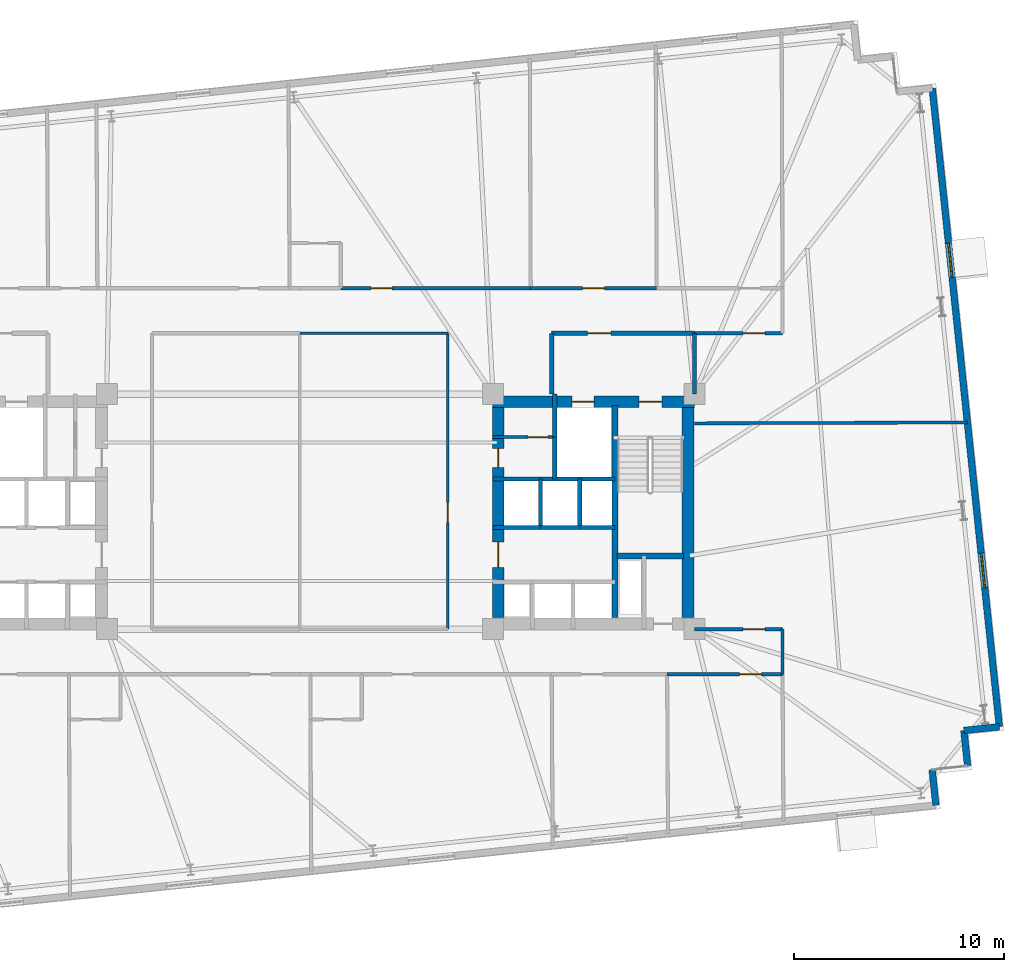
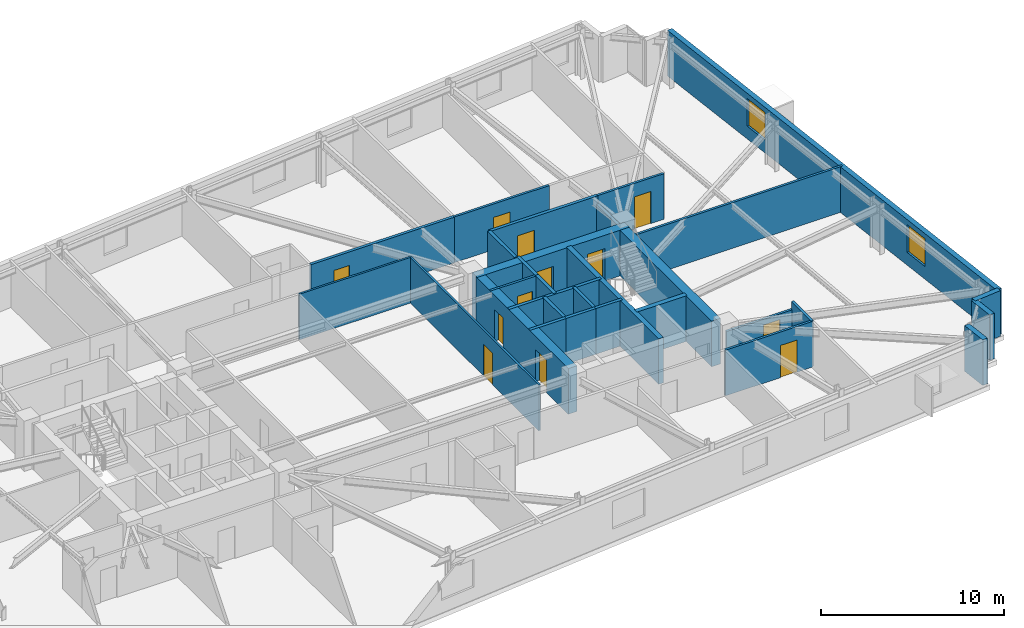
# One storey, part 14 of 17: 30 walls, 12 doors, 2 windows, 14 openings.
"""IFC4 building model written with IfcOpenShell, lengths in metres."""

from ifc_helpers import new_model, si_unit, direction, frame, frame_2d, origin, place, context, subcontext, project, spatial, rectangle, extrude, material, layer, layer_set, type_object, element, fill, save


model = new_model("IFC4")

# Units and contexts
model_context = context("Model", 3, precision=1e-05, world=origin(), true_north=direction((0.0, 1.0)))
body_context = subcontext(model_context, "Body", "Model", "MODEL_VIEW")
ifc_project = project(units=[si_unit("LENGTHUNIT", "METRE"), si_unit("AREAUNIT", "SQUARE_METRE"), si_unit("VOLUMEUNIT", "CUBIC_METRE"), si_unit("PLANEANGLEUNIT", "RADIAN"), si_unit("MASSUNIT", "GRAM", prefix="KILO")], contexts=[model_context])

# Site, building, storey
site_placement = place(None, origin())
site = spatial("IfcSite", under=ifc_project, at=site_placement, CompositionType="ELEMENT")
building_placement = place(site_placement, origin())
building = spatial("IfcBuilding", under=site, at=building_placement, Name="Qobustan Lattice House", CompositionType="ELEMENT")
storey_placement = place(building_placement, frame((0.0, 0.0, 112.5)))
storey = spatial("IfcBuildingStorey", under=building, at=storey_placement, Name="L31", CompositionType="ELEMENT", Elevation=112.5)

# Wall, openings, doors
ifc_material_1 = material(Name="Concrete C60/75", Category="concrete")
ifc_layer_1 = layer(ifc_material_1, 0.56005859375)
ifc_layer_set_1 = layer_set([ifc_layer_1], Name="Concrete C60/75")
wall_type_1 = type_object("IfcWallType", Name="WAL-CORE-600", PredefinedType="SHEAR", material=ifc_layer_set_1)
wall_1_placement = place(storey_placement, frame((9.199951171875, 5.239990234375, 0.0), z_axis=(0.0, 0.0, 1.0), x_axis=(1.0, 0.0, 0.0)))
wall_1 = element("IfcWall", 1, at=wall_1_placement, inside=storey, type_object=wall_type_1, Name="L31 split-core shear wall CE-N", PredefinedType="SHEAR", context=body_context, shape_type="SweptSolid", body=[
    extrude(rectangle(XDim=9.60009765625, YDim=0.56005859375, at=frame_2d((4.800048828125, 0.0))), origin(), (0.0, 0.0, 1.0), 3.044921875),
])
opening_1_placement = place(wall_1_placement, frame((6.949951171875, 0.0, 0.0)))
opening_1 = element("IfcOpeningElement", 2, at=opening_1_placement, cuts=wall_1, Name="Opening SD-01", PredefinedType="OPENING", context=body_context, shape_type="SweptSolid", body=[
    extrude(rectangle(XDim=1.10009765625, YDim=2.14990234375, at=frame_2d((0.550048828125, 1.074951171875))), frame((0.0, 0.2900390625, 0.0), z_axis=(0.0, -1.0, 0.0), x_axis=(1.0, 0.0, 0.0)), (0.0, 0.0, 1.0), 0.580078125),
])
opening_2_placement = place(wall_1_placement, frame((3.77490234375, 0.0, 0.0)))
opening_2 = element("IfcOpeningElement", 3, at=opening_2_placement, cuts=wall_1, Name="Opening LD-01", PredefinedType="OPENING", context=body_context, shape_type="SweptSolid", body=[
    extrude(rectangle(XDim=1.050048828125, YDim=2.10009765625, at=frame_2d((0.52490234375, 1.050048828125))), frame((0.0, 0.2900390625, 0.0), z_axis=(0.0, -1.0, 0.0), x_axis=(1.0, 0.0, 0.0)), (0.0, 0.0, 1.0), 0.580078125),
])
ifc_material_2 = material(Name="Persian walnut timber and steel frame door", Category="steel")
door_type_1 = type_object("IfcDoorType", Name="DOR-LIFT-LD-1050x2100", OperationType="NOTDEFINED", PredefinedType="DOOR", material=ifc_material_2)
door_1_placement = place(opening_2_placement, origin())
door_1 = element("IfcDoor", 4, at=door_1_placement, inside=storey, type_object=door_type_1, Name="L31 firefighting lift FF-E landing door", OperationType="DOUBLE_DOOR_SLIDING", OverallHeight=2.10009765625, OverallWidth=1.050048828125, PredefinedType="DOOR", context=body_context, shape_type="SweptSolid", body=[
    extrude(rectangle(XDim=1.050048828125, YDim=2.10009765625, at=frame_2d((0.52490234375, 1.050048828125))), frame((0.0, 0.02490234375, 0.0), z_axis=(0.0, -1.0, 0.0), x_axis=(1.0, 0.0, 0.0)), (0.0, 0.0, 1.0), 0.050048828125),
])
fill(opening_2, door_1)
ifc_material_3 = material(Name="Persian walnut timber and steel frame door", Category="steel")
door_type_2 = type_object("IfcDoorType", Name="DOR-STAIR-FD-1100x2150", OperationType="NOTDEFINED", PredefinedType="DOOR", material=ifc_material_3)
door_2_placement = place(opening_1_placement, origin())
door_2 = element("IfcDoor", 5, at=door_2_placement, inside=storey, type_object=door_type_2, Name="L31 exit stair ST-E1 fire door", OperationType="SINGLE_SWING_LEFT", OverallHeight=2.14990234375, OverallWidth=1.10009765625, PredefinedType="DOOR", context=body_context, shape_type="SweptSolid", body=[
    extrude(rectangle(XDim=1.10009765625, YDim=2.14990234375, at=frame_2d((0.550048828125, 1.074951171875))), frame((0.0, 0.02490234375, 0.0), z_axis=(0.0, -1.0, 0.0), x_axis=(1.0, 0.0, 0.0)), (0.0, 0.0, 1.0), 0.050048828125),
])
fill(opening_1, door_2)

wall_2_placement = place(storey_placement, frame((9.449951171875, -5.050048828125, 0.0), z_axis=(0.0, 0.0, 1.0), x_axis=(0.0, 1.0, 0.0)))
wall_2 = element("IfcWall", 6, at=wall_2_placement, inside=storey, type_object=wall_type_1, Name="L31 split-core shear wall CE-W", PredefinedType="SHEAR", context=body_context, shape_type="SweptSolid", body=[
    extrude(rectangle(XDim=10.10009765625, YDim=0.56005859375, at=frame_2d((5.050048828125, 0.0))), origin(), (0.0, 0.0, 1.0), 3.044921875),
])
opening_3_placement = place(wall_2_placement, frame((7.14990234375, 0.0, 0.0)))
opening_3 = element("IfcOpeningElement", 7, at=opening_3_placement, cuts=wall_2, Name="Opening RD-01", PredefinedType="OPENING", context=body_context, shape_type="SweptSolid", body=[
    extrude(rectangle(XDim=0.89990234375, YDim=2.10009765625, at=frame_2d((0.449951171875, 1.050048828125))), frame((0.0, 0.2900390625, 0.0), z_axis=(0.0, -1.0, 0.0), x_axis=(1.0, 0.0, 0.0)), (0.0, 0.0, 1.0), 0.580078125),
])
opening_4_placement = place(wall_2_placement, frame((2.39990234375, 0.0, 0.0)))
opening_4 = element("IfcOpeningElement", 8, at=opening_4_placement, cuts=wall_2, Name="Opening FD-01", PredefinedType="OPENING", context=body_context, shape_type="SweptSolid", body=[
    extrude(rectangle(XDim=1.199951171875, YDim=2.14990234375, at=frame_2d((0.60009765625, 1.074951171875))), frame((0.0, 0.2900390625, 0.0), z_axis=(0.0, -1.0, 0.0), x_axis=(1.0, 0.0, 0.0)), (0.0, 0.0, 1.0), 0.580078125),
])
ifc_material_4 = material(Name="Persian walnut timber and steel frame door", Category="steel")
door_type_3 = type_object("IfcDoorType", Name="DOR-LOBBY-FD-1200x2150", OperationType="NOTDEFINED", PredefinedType="DOOR", material=ifc_material_4)
door_3_placement = place(opening_4_placement, origin())
door_3 = element("IfcDoor", 9, at=door_3_placement, inside=storey, type_object=door_type_3, Name="L31 East passenger lift lobby fire door", OperationType="SINGLE_SWING_LEFT", OverallHeight=2.14990234375, OverallWidth=1.199951171875, PredefinedType="DOOR", context=body_context, shape_type="SweptSolid", body=[
    extrude(rectangle(XDim=1.199951171875, YDim=2.14990234375, at=frame_2d((0.60009765625, 1.074951171875))), frame((0.0, 0.02490234375, 0.0), z_axis=(0.0, -1.0, 0.0), x_axis=(1.0, 0.0, 0.0)), (0.0, 0.0, 1.0), 0.050048828125),
])
fill(opening_4, door_3)
ifc_material_5 = material(Name="Persian walnut timber and steel frame door", Category="steel")
door_type_4 = type_object("IfcDoorType", Name="DOR-RISER-FD-900x2100", OperationType="NOTDEFINED", PredefinedType="DOOR", material=ifc_material_5)
door_4_placement = place(opening_3_placement, origin())
door_4 = element("IfcDoor", 10, at=door_4_placement, inside=storey, type_object=door_type_4, Name="L31 Housekeeping utility foyer fire door", OperationType="SINGLE_SWING_RIGHT", OverallHeight=2.10009765625, OverallWidth=0.89990234375, PredefinedType="DOOR", context=body_context, shape_type="SweptSolid", body=[
    extrude(rectangle(XDim=0.89990234375, YDim=2.10009765625, at=frame_2d((0.449951171875, 1.050048828125))), frame((0.0, 0.02490234375, 0.0), z_axis=(0.0, -1.0, 0.0), x_axis=(1.0, 0.0, 0.0)), (0.0, 0.0, 1.0), 0.050048828125),
])
fill(opening_3, door_4)

# Walls
wall_3_placement = place(storey_placement, frame((18.489990234375, -5.050048828125, 0.0), z_axis=(0.0, 0.0, 1.0), x_axis=(0.0, 1.0, 0.0)))
element("IfcWall", 11, at=wall_3_placement, inside=storey, type_object=wall_type_1, Name="L31 split-core shear wall CE-E", PredefinedType="SHEAR", context=body_context, shape_type="SweptSolid", body=[
    extrude(rectangle(XDim=10.10009765625, YDim=0.56005859375, at=frame_2d((5.050048828125, 0.0))), origin(), (0.0, 0.0, 1.0), 3.044921875),
])
ifc_material_6 = material(Name="Concrete C50/60", Category="concrete")
ifc_layer_2 = layer(ifc_material_6, 0.280029296875)
ifc_layer_set_2 = layer_set([ifc_layer_2], Name="Concrete C50/60")
wall_type_2 = type_object("IfcWallType", Name="WAL-CORE-SPINE-280", PredefinedType="SHEAR", material=ifc_layer_set_2)
wall_4_placement = place(storey_placement, frame((15.02001953125, -5.050048828125, 0.0), z_axis=(0.0, 0.0, 1.0), x_axis=(0.0, 1.0, 0.0)))
element("IfcWall", 12, at=wall_4_placement, inside=storey, type_object=wall_type_2, Name="L31 split-core shear wall CE-M", PredefinedType="SHEAR", context=body_context, shape_type="SweptSolid", body=[
    extrude(rectangle(XDim=10.10009765625, YDim=0.300048828125, at=frame_2d((5.050048828125, 0.0))), origin(), (0.0, 0.0, 1.0), 3.044921875),
])
wall_5_placement = place(storey_placement, frame((15.10009765625, -2.110107421875, 0.0), z_axis=(0.0, 0.0, 1.0), x_axis=(1.0, 0.0, 0.0)))
element("IfcWall", 13, at=wall_5_placement, inside=storey, type_object=wall_type_2, Name="L31 split-core shear wall CE-ST", PredefinedType="SHEAR", context=body_context, shape_type="SweptSolid", body=[
    extrude(rectangle(XDim=3.179931640625, YDim=0.300048828125, at=frame_2d((1.58984375, 0.0))), origin(), (0.0, 0.0, 1.0), 3.044921875),
])

# Wall, openings, windows
ifc_material_7 = material(Name="Precast concrete C40/50", Category="concrete")
ifc_layer_3 = layer(ifc_material_7, 0.320068359375)
ifc_layer_set_3 = layer_set([ifc_layer_3], Name="Precast concrete C40/50")
wall_type_3 = type_object("IfcWallType", Name="WAL-EXT-STONE-320", PredefinedType="SOLIDWALL", material=ifc_layer_set_3)
wall_6_placement = place(storey_placement, frame((30.134765625, 20.183349609375, 0.0), z_axis=(0.0, 0.0, 1.0), x_axis=(0.104525716865, -0.994522184023, 0.0)))
wall_6 = element("IfcWall", 14, at=wall_6_placement, inside=storey, type_object=wall_type_3, Name="L31 exterior limestone-clad wall 15", PredefinedType="SOLIDWALL", context=body_context, shape_type="SweptSolid", body=[
    extrude(rectangle(XDim=30.60009765625, YDim=0.320068359375, at=frame_2d((15.300048828125, 0.0))), origin(), (0.0, 0.0, 1.0), 3.044921875),
])
opening_5_placement = place(wall_6_placement, frame((7.42578125, 0.0, 0.85009765625)))
opening_5 = element("IfcOpeningElement", 15, at=opening_5_placement, cuts=wall_6, Name="Opening WN-09", PredefinedType="OPENING", context=body_context, shape_type="SweptSolid", body=[
    extrude(rectangle(XDim=1.64990234375, YDim=1.85009765625, at=frame_2d((0.824951171875, 0.925048828125))), frame((0.0, 0.169921875, 0.0), z_axis=(0.0, -1.0, 0.0), x_axis=(1.0, 0.0, 0.0)), (0.0, 0.0, 1.0), 0.340087890625),
])
opening_6_placement = place(wall_6_placement, frame((22.28515625, 0.0, 0.85009765625)))
opening_6 = element("IfcOpeningElement", 16, at=opening_6_placement, cuts=wall_6, Name="Opening WN-09", PredefinedType="OPENING", context=body_context, shape_type="SweptSolid", body=[
    extrude(rectangle(XDim=1.64990234375, YDim=1.85009765625, at=frame_2d((0.824951171875, 0.925048828125))), frame((0.0, 0.169921875, 0.0), z_axis=(0.0, -1.0, 0.0), x_axis=(1.0, 0.0, 0.0)), (0.0, 0.0, 1.0), 0.340087890625),
])
ifc_material_8 = material(Name="Double-glazed low-E aluminium window", Category="aluminium")
window_type = type_object("IfcWindowType", Name="WIN-STU-1650x1850", PartitioningType="SINGLE_PANEL", PredefinedType="WINDOW", material=ifc_material_8)
window_1_placement = place(opening_5_placement, origin())
window_1 = element("IfcWindow", 17, at=window_1_placement, inside=storey, type_object=window_type, Name="L31 Collaborative tutorial room window", OverallHeight=1.85009765625, OverallWidth=1.64990234375, PartitioningType="SINGLE_PANEL", PredefinedType="WINDOW", context=body_context, shape_type="SweptSolid", body=[
    extrude(rectangle(XDim=1.64990234375, YDim=1.85009765625, at=frame_2d((0.824951171875, 0.925048828125))), frame((0.0, 0.030029296875, 0.0), z_axis=(0.0, -1.0, 0.0), x_axis=(1.0, 0.0, 0.0)), (0.0, 0.0, 1.0), 0.06005859375),
])
fill(opening_5, window_1)
window_2_placement = place(opening_6_placement, origin())
window_2 = element("IfcWindow", 18, at=window_2_placement, inside=storey, type_object=window_type, Name="L31 Fellows reading room window", OverallHeight=1.85009765625, OverallWidth=1.64990234375, PartitioningType="SINGLE_PANEL", PredefinedType="WINDOW", context=body_context, shape_type="SweptSolid", body=[
    extrude(rectangle(XDim=1.64990234375, YDim=1.85009765625, at=frame_2d((0.824951171875, 0.925048828125))), frame((0.0, 0.030029296875, 0.0), z_axis=(0.0, -1.0, 0.0), x_axis=(1.0, 0.0, 0.0)), (0.0, 0.0, 1.0), 0.06005859375),
])
fill(opening_6, window_2)

# Walls
for number, where, z_axis, x_axis, name in (
    (19, (33.333251953125, -10.2490234375, 0.0), (0.0, 0.0, 1.0), (-0.994519608382, -0.104550220202, 0.0), "L31 exterior limestone-clad wall 16"),
    (20, (31.642578125, -10.4267578125, 0.0), (0.0, 0.0, 1.0), (0.104550220202, -0.994519608382, 0.0), "L31 exterior limestone-clad wall 17"),
):
    element("IfcWall", number, at=place(storey_placement, frame(where, z_axis=z_axis, x_axis=x_axis)), inside=storey, type_object=wall_type_3, Name=name, PredefinedType="SOLIDWALL", context=body_context, shape_type="SweptSolid", body=[
        extrude(rectangle(XDim=1.699951171875, YDim=0.320068359375, at=frame_2d((0.85009765625, 0.0))), origin(), (0.0, 0.0, 1.0), 3.044921875),
    ])
wall_7_placement = place(storey_placement, frame((30.129638671875, -12.295166015625, 0.0), z_axis=(0.0, 0.0, 1.0), x_axis=(0.104565154801, -0.994518038248, 0.0)))
element("IfcWall", 21, at=wall_7_placement, inside=storey, type_object=wall_type_3, Name="L31 exterior limestone-clad wall 19", PredefinedType="SOLIDWALL", context=body_context, shape_type="SweptSolid", body=[
    extrude(rectangle(XDim=1.69970703125, YDim=0.320068359375, at=frame_2d((0.849853515625, 0.0))), origin(), (0.0, 0.0, 1.0), 3.044921875),
])

# Wall, opening, door
ifc_material_9 = material(Name="Gypsum fireboard acoustic partition", Category="gypsum")
ifc_layer_4 = layer(ifc_material_9, 0.179931640625)
ifc_layer_set_4 = layer_set([ifc_layer_4], Name="Gypsum fireboard acoustic partition")
wall_type_4 = type_object("IfcWallType", Name="WAL-FIRE-180", PredefinedType="PARTITIONING", material=ifc_layer_set_4)
wall_8_placement = place(storey_placement, frame((1.949951171875, 10.64990234375, 0.0), z_axis=(0.0, 0.0, 1.0), x_axis=(1.0, 0.0, 0.0)))
wall_8 = element("IfcWall", 22, at=wall_8_placement, inside=storey, type_object=wall_type_4, Name="L31 interior partition 48", PredefinedType="PARTITIONING", context=body_context, shape_type="SweptSolid", body=[
    extrude(rectangle(XDim=9.050048828125, YDim=0.179931640625, at=frame_2d((4.52490234375, 0.0))), origin(), (0.0, 0.0, 1.0), 3.044921875),
])
opening_7_placement = place(wall_8_placement, frame((1.44140625, 0.0, 0.0)))
opening_7 = element("IfcOpeningElement", 23, at=opening_7_placement, cuts=wall_8, Name="Opening FD-02", PredefinedType="OPENING", context=body_context, shape_type="SweptSolid", body=[
    extrude(rectangle(XDim=1.0, YDim=2.14990234375, at=frame_2d((0.5, 1.074951171875))), frame((0.0, 0.099853515625, 0.0), z_axis=(0.0, -1.0, 0.0), x_axis=(1.0, 0.0, 0.0)), (0.0, 0.0, 1.0), 0.199951171875),
])
ifc_material_10 = material(Name="Persian walnut timber and steel frame door", Category="steel")
door_type_5 = type_object("IfcDoorType", Name="DOR-UNIT-FD-1000x2150", OperationType="NOTDEFINED", PredefinedType="DOOR", material=ifc_material_10)
door_5_placement = place(opening_7_placement, origin())
door_5 = element("IfcDoor", 24, at=door_5_placement, inside=storey, type_object=door_type_5, Name="L31 North-east floor corridor to Kitchenette and studio apartment L31-N3 door", OperationType="SINGLE_SWING_RIGHT", OverallHeight=2.14990234375, OverallWidth=1.0, PredefinedType="DOOR", context=body_context, shape_type="SweptSolid", body=[
    extrude(rectangle(XDim=1.0, YDim=2.14990234375, at=frame_2d((0.5, 1.074951171875))), frame((0.0, 0.02490234375, 0.0), z_axis=(0.0, -1.0, 0.0), x_axis=(1.0, 0.0, 0.0)), (0.0, 0.0, 1.0), 0.050048828125),
])
fill(opening_7, door_5)

# Wall
ifc_material_11 = material(Name="Lightweight acoustic stud partition", Category="gypsum")
ifc_layer_5 = layer(ifc_material_11, 0.125)
ifc_layer_set_5 = layer_set([ifc_layer_5], Name="Lightweight acoustic stud partition")
wall_type_5 = type_object("IfcWallType", Name="WAL-PART-125", PredefinedType="PARTITIONING", material=ifc_layer_set_5)
wall_9_placement = place(storey_placement, frame((7.050048828125, 8.5, 0.0), z_axis=(0.0, 0.0, 1.0), x_axis=(-1.0, 0.0, 0.0)))
element("IfcWall", 25, at=wall_9_placement, inside=storey, type_object=wall_type_5, Name="L31 interior partition 52", PredefinedType="PARTITIONING", context=body_context, shape_type="SweptSolid", body=[
    extrude(rectangle(XDim=7.050048828125, YDim=0.125, at=frame_2d((3.52490234375, 0.0))), origin(), (0.0, 0.0, 1.0), 3.044921875),
])

# Wall, opening, door
wall_10_placement = place(storey_placement, frame((7.050048828125, -5.60009765625, 0.0), z_axis=(0.0, 0.0, 1.0), x_axis=(0.0, 1.0, 0.0)))
wall_10 = element("IfcWall", 26, at=wall_10_placement, inside=storey, type_object=wall_type_5, Name="L31 interior partition 69", PredefinedType="PARTITIONING", context=body_context, shape_type="SweptSolid", body=[
    extrude(rectangle(XDim=14.10009765625, YDim=0.125, at=frame_2d((7.050048828125, 0.0))), origin(), (0.0, 0.0, 1.0), 3.044921875),
])
opening_8_placement = place(wall_10_placement, frame((5.076171875, 0.0, 0.0)))
opening_8 = element("IfcOpeningElement", 27, at=opening_8_placement, cuts=wall_10, Name="Opening ID-01", PredefinedType="OPENING", context=body_context, shape_type="SweptSolid", body=[
    extrude(rectangle(XDim=0.949951171875, YDim=2.10009765625, at=frame_2d((0.47509765625, 1.050048828125))), frame((0.0, 0.072509765625, 0.0), z_axis=(0.0, -1.0, 0.0), x_axis=(1.0, 0.0, 0.0)), (0.0, 0.0, 1.0), 0.14501953125),
])
ifc_material_12 = material(Name="Persian walnut timber and steel frame door", Category="steel")
door_type_6 = type_object("IfcDoorType", Name="DOR-ROOM-950x2100", OperationType="NOTDEFINED", PredefinedType="DOOR", material=ifc_material_12)
door_6_placement = place(opening_8_placement, origin())
door_6 = element("IfcDoor", 28, at=door_6_placement, inside=storey, type_object=door_type_6, Name="L31 East floor link corridor to Focus pod suite door", OperationType="SINGLE_SWING_RIGHT", OverallHeight=2.10009765625, OverallWidth=0.949951171875, PredefinedType="DOOR", context=body_context, shape_type="SweptSolid", body=[
    extrude(rectangle(XDim=0.949951171875, YDim=2.10009765625, at=frame_2d((0.47509765625, 1.050048828125))), frame((0.0, 0.02490234375, 0.0), z_axis=(0.0, -1.0, 0.0), x_axis=(1.0, 0.0, 0.0)), (0.0, 0.0, 1.0), 0.050048828125),
])
fill(opening_8, door_6)

ifc_material_13 = material(Name="Acoustic twin-stud gypsum partition", Category="gypsum")
ifc_layer_6 = layer(ifc_material_13, 0.14990234375)
ifc_layer_set_6 = layer_set([ifc_layer_6], Name="Acoustic twin-stud gypsum partition")
wall_type_6 = type_object("IfcWallType", Name="WAL-PART-150", PredefinedType="PARTITIONING", material=ifc_layer_set_6)
wall_11_placement = place(storey_placement, frame((12.14990234375, 3.550048828125, 0.0), z_axis=(0.0, 0.0, 1.0), x_axis=(-1.0, 0.0, 0.0)))
wall_11 = element("IfcWall", 29, at=wall_11_placement, inside=storey, type_object=wall_type_6, Name="L31 interior partition 25", PredefinedType="PARTITIONING", context=body_context, shape_type="SweptSolid", body=[
    extrude(rectangle(XDim=2.949951171875, YDim=0.14990234375, at=frame_2d((1.47509765625, 0.0))), origin(), (0.0, 0.0, 1.0), 3.044921875),
])
opening_9_placement = place(wall_11_placement, frame((0.324951171875, 0.0, 0.0)))
opening_9 = element("IfcOpeningElement", 30, at=opening_9_placement, cuts=wall_11, Name="Opening ID-01", PredefinedType="OPENING", context=body_context, shape_type="SweptSolid", body=[
    extrude(rectangle(XDim=0.949951171875, YDim=2.10009765625, at=frame_2d((0.47509765625, 1.050048828125))), frame((0.0, 0.0849609375, 0.0), z_axis=(0.0, -1.0, 0.0), x_axis=(1.0, 0.0, 0.0)), (0.0, 0.0, 1.0), 0.169921875),
])
door_7_placement = place(opening_9_placement, origin())
door_7 = element("IfcDoor", 31, at=door_7_placement, inside=storey, type_object=door_type_6, Name="L31 Housekeeping utility foyer to Cleaner cupboard door", OperationType="SINGLE_SWING_LEFT", OverallHeight=2.10009765625, OverallWidth=0.949951171875, PredefinedType="DOOR", context=body_context, shape_type="SweptSolid", body=[
    extrude(rectangle(XDim=0.949951171875, YDim=2.10009765625, at=frame_2d((0.47509765625, 1.050048828125))), frame((0.0, 0.02490234375, 0.0), z_axis=(0.0, -1.0, 0.0), x_axis=(1.0, 0.0, 0.0)), (0.0, 0.0, 1.0), 0.050048828125),
])
fill(opening_9, door_7)

wall_12_placement = place(storey_placement, frame((23.0, 8.5, 0.0), z_axis=(0.0, 0.0, 1.0), x_axis=(-1.0, 0.0, 0.0)))
wall_12 = element("IfcWall", 32, at=wall_12_placement, inside=storey, type_object=wall_type_6, Name="L31 interior partition 46", PredefinedType="PARTITIONING", context=body_context, shape_type="SweptSolid", body=[
    extrude(rectangle(XDim=4.199951171875, YDim=0.14990234375, at=frame_2d((2.10009765625, 0.0))), origin(), (0.0, 0.0, 1.0), 3.044921875),
])
opening_10_placement = place(wall_12_placement, frame((0.82861328125, 0.0, 0.0)))
opening_10 = element("IfcOpeningElement", 33, at=opening_10_placement, cuts=wall_12, Name="Opening ID-02", PredefinedType="OPENING", context=body_context, shape_type="SweptSolid", body=[
    extrude(rectangle(XDim=1.050048828125, YDim=2.14990234375, at=frame_2d((0.52490234375, 1.074951171875))), frame((0.0, 0.0849609375, 0.0), z_axis=(0.0, -1.0, 0.0), x_axis=(1.0, 0.0, 0.0)), (0.0, 0.0, 1.0), 0.169921875),
])
ifc_material_14 = material(Name="Persian walnut timber and steel frame door", Category="steel")
door_type_7 = type_object("IfcDoorType", Name="DOR-STUDY-1050x2150", OperationType="NOTDEFINED", PredefinedType="DOOR", material=ifc_material_14)
door_8_placement = place(opening_10_placement, origin())
door_8 = element("IfcDoor", 34, at=door_8_placement, inside=storey, type_object=door_type_7, Name="L31 North-east floor corridor to Collaborative tutorial room door", OperationType="SINGLE_SWING_LEFT", OverallHeight=2.14990234375, OverallWidth=1.050048828125, PredefinedType="DOOR", context=body_context, shape_type="SweptSolid", body=[
    extrude(rectangle(XDim=1.050048828125, YDim=2.14990234375, at=frame_2d((0.52490234375, 1.074951171875))), frame((0.0, 0.02490234375, 0.0), z_axis=(0.0, -1.0, 0.0), x_axis=(1.0, 0.0, 0.0)), (0.0, 0.0, 1.0), 0.050048828125),
])
fill(opening_10, door_8)

wall_13_placement = place(storey_placement, frame((11.0, 10.64990234375, 0.0), z_axis=(0.0, 0.0, 1.0), x_axis=(1.0, 0.0, 0.0)))
wall_13 = element("IfcWall", 35, at=wall_13_placement, inside=storey, type_object=wall_type_6, Name="L31 interior partition 50", PredefinedType="PARTITIONING", context=body_context, shape_type="SweptSolid", body=[
    extrude(rectangle(XDim=6.0, YDim=0.14990234375, at=frame_2d((3.0, 0.0))), origin(), (0.0, 0.0, 1.0), 3.044921875),
])
opening_11_placement = place(wall_13_placement, frame((2.47509765625, 0.0, 0.0)))
opening_11 = element("IfcOpeningElement", 36, at=opening_11_placement, cuts=wall_13, Name="Opening ID-02", PredefinedType="OPENING", context=body_context, shape_type="SweptSolid", body=[
    extrude(rectangle(XDim=1.050048828125, YDim=2.14990234375, at=frame_2d((0.52490234375, 1.074951171875))), frame((0.0, 0.0849609375, 0.0), z_axis=(0.0, -1.0, 0.0), x_axis=(1.0, 0.0, 0.0)), (0.0, 0.0, 1.0), 0.169921875),
])
door_9_placement = place(opening_11_placement, origin())
door_9 = element("IfcDoor", 37, at=door_9_placement, inside=storey, type_object=door_type_7, Name="L31 North-east floor corridor to Focus study room N4A door", OperationType="SINGLE_SWING_LEFT", OverallHeight=2.14990234375, OverallWidth=1.050048828125, PredefinedType="DOOR", context=body_context, shape_type="SweptSolid", body=[
    extrude(rectangle(XDim=1.050048828125, YDim=2.14990234375, at=frame_2d((0.52490234375, 1.074951171875))), frame((0.0, 0.02490234375, 0.0), z_axis=(0.0, -1.0, 0.0), x_axis=(1.0, 0.0, 0.0)), (0.0, 0.0, 1.0), 0.050048828125),
])
fill(opening_11, door_9)

wall_14_placement = place(storey_placement, frame((18.800048828125, -5.60009765625, 0.0), z_axis=(0.0, 0.0, 1.0), x_axis=(1.0, 0.0, 0.0)))
wall_14 = element("IfcWall", 38, at=wall_14_placement, inside=storey, type_object=wall_type_6, Name="L31 interior partition 60", PredefinedType="PARTITIONING", context=body_context, shape_type="SweptSolid", body=[
    extrude(rectangle(XDim=4.199951171875, YDim=0.14990234375, at=frame_2d((2.10009765625, 0.0))), origin(), (0.0, 0.0, 1.0), 2.530029296875),
])
opening_12_placement = place(wall_14_placement, frame((2.3212890625, 0.0, 0.0)))
opening_12 = element("IfcOpeningElement", 39, at=opening_12_placement, cuts=wall_14, Name="Opening ID-02", PredefinedType="OPENING", context=body_context, shape_type="SweptSolid", body=[
    extrude(rectangle(XDim=1.050048828125, YDim=2.14990234375, at=frame_2d((0.52490234375, 1.074951171875))), frame((0.0, 0.0849609375, 0.0), z_axis=(0.0, -1.0, 0.0), x_axis=(1.0, 0.0, 0.0)), (0.0, 0.0, 1.0), 0.169921875),
])
door_10_placement = place(opening_12_placement, origin())
door_10 = element("IfcDoor", 40, at=door_10_placement, inside=storey, type_object=door_type_7, Name="L31 South-east floor corridor to Fellows reading room door", OperationType="SINGLE_SWING_LEFT", OverallHeight=2.14990234375, OverallWidth=1.050048828125, PredefinedType="DOOR", context=body_context, shape_type="SweptSolid", body=[
    extrude(rectangle(XDim=1.050048828125, YDim=2.14990234375, at=frame_2d((0.52490234375, 1.074951171875))), frame((0.0, 0.02490234375, 0.0), z_axis=(0.0, -1.0, 0.0), x_axis=(1.0, 0.0, 0.0)), (0.0, 0.0, 1.0), 0.050048828125),
])
fill(opening_12, door_10)

# Wall
wall_15_placement = place(storey_placement, frame((23.0, -5.60009765625, 0.0), z_axis=(0.0, 0.0, 1.0), x_axis=(0.0, -1.0, 0.0)))
element("IfcWall", 41, at=wall_15_placement, inside=storey, type_object=wall_type_6, Name="L31 interior partition 61", PredefinedType="PARTITIONING", context=body_context, shape_type="SweptSolid", body=[
    extrude(rectangle(XDim=2.14990234375, YDim=0.14990234375, at=frame_2d((1.074951171875, 0.0))), origin(), (0.0, 0.0, 1.0), 3.044921875),
])

# Wall, opening, door
wall_16_placement = place(storey_placement, frame((23.0, -7.75, 0.0), z_axis=(0.0, 0.0, 1.0), x_axis=(-1.0, 0.0, 0.0)))
wall_16 = element("IfcWall", 42, at=wall_16_placement, inside=storey, type_object=wall_type_6, Name="L31 interior partition 66", PredefinedType="PARTITIONING", context=body_context, shape_type="SweptSolid", body=[
    extrude(rectangle(XDim=5.5, YDim=0.14990234375, at=frame_2d((2.75, 0.0))), origin(), (0.0, 0.0, 1.0), 3.044921875),
])
opening_13_placement = place(wall_16_placement, frame((0.9912109375, 0.0, 0.0)))
opening_13 = element("IfcOpeningElement", 43, at=opening_13_placement, cuts=wall_16, Name="Opening ID-02", PredefinedType="OPENING", context=body_context, shape_type="SweptSolid", body=[
    extrude(rectangle(XDim=1.050048828125, YDim=2.14990234375, at=frame_2d((0.52490234375, 1.074951171875))), frame((0.0, 0.0849609375, 0.0), z_axis=(0.0, -1.0, 0.0), x_axis=(1.0, 0.0, 0.0)), (0.0, 0.0, 1.0), 0.169921875),
])
door_11_placement = place(opening_13_placement, origin())
door_11 = element("IfcDoor", 44, at=door_11_placement, inside=storey, type_object=door_type_7, Name="L31 South-east floor corridor to Academic seminar room door", OperationType="SINGLE_SWING_RIGHT", OverallHeight=2.14990234375, OverallWidth=1.050048828125, PredefinedType="DOOR", context=body_context, shape_type="SweptSolid", body=[
    extrude(rectangle(XDim=1.050048828125, YDim=2.14990234375, at=frame_2d((0.52490234375, 1.074951171875))), frame((0.0, 0.02490234375, 0.0), z_axis=(0.0, -1.0, 0.0), x_axis=(1.0, 0.0, 0.0)), (0.0, 0.0, 1.0), 0.050048828125),
])
fill(opening_13, door_11)

# Wall
wall_17_placement = place(storey_placement, frame((18.800048828125, 4.208251953125, 0.0), z_axis=(0.0, 0.0, 1.0), x_axis=(0.9999942944, 0.003378042094, 0.0)))
element("IfcWall", 45, at=wall_17_placement, inside=storey, type_object=wall_type_6, Name="L31 interior partition 73", PredefinedType="PARTITIONING", context=body_context, shape_type="SweptSolid", body=[
    extrude(rectangle(XDim=13.009033203125, YDim=0.14990234375, at=frame_2d((6.50439453125, 0.0))), origin(), (0.0, 0.0, 1.0), 3.044921875),
])

# Wall, opening, door
ifc_material_15 = material(Name="Two-hour gypsum fireboard acoustic partition", Category="gypsum")
ifc_layer_7 = layer(ifc_material_15, 0.199951171875)
ifc_layer_set_7 = layer_set([ifc_layer_7], Name="Two-hour gypsum fireboard acoustic partition")
wall_type_7 = type_object("IfcWallType", Name="WAL-PROT-200", PredefinedType="PARTITIONING", material=ifc_layer_set_7)
wall_18_placement = place(storey_placement, frame((18.800048828125, 8.5, 0.0), z_axis=(0.0, 0.0, 1.0), x_axis=(-1.0, 0.0, 0.0)))
wall_18 = element("IfcWall", 46, at=wall_18_placement, inside=storey, type_object=wall_type_7, Name="L31 interior partition 22", PredefinedType="PARTITIONING", context=body_context, shape_type="SweptSolid", body=[
    extrude(rectangle(XDim=6.800048828125, YDim=0.199951171875, at=frame_2d((3.39990234375, 0.0))), origin(), (0.0, 0.0, 1.0), 3.044921875),
])
opening_14_placement = place(wall_18_placement, frame((3.985107421875, 0.0, 0.0)))
opening_14 = element("IfcOpeningElement", 47, at=opening_14_placement, cuts=wall_18, Name="Opening SD-01", PredefinedType="OPENING", context=body_context, shape_type="SweptSolid", body=[
    extrude(rectangle(XDim=1.10009765625, YDim=2.14990234375, at=frame_2d((0.550048828125, 1.074951171875))), frame((0.0, 0.10986328125, 0.0), z_axis=(0.0, -1.0, 0.0), x_axis=(1.0, 0.0, 0.0)), (0.0, 0.0, 1.0), 0.219970703125),
])
door_12_placement = place(opening_14_placement, origin())
door_12 = element("IfcDoor", 48, at=door_12_placement, inside=storey, type_object=door_type_2, Name="L31 East firefighting lift lobby to North-east floor corridor door", OperationType="SINGLE_SWING_RIGHT", OverallHeight=2.14990234375, OverallWidth=1.10009765625, PredefinedType="DOOR", context=body_context, shape_type="SweptSolid", body=[
    extrude(rectangle(XDim=1.10009765625, YDim=2.14990234375, at=frame_2d((0.550048828125, 1.074951171875))), frame((0.0, 0.02490234375, 0.0), z_axis=(0.0, -1.0, 0.0), x_axis=(1.0, 0.0, 0.0)), (0.0, 0.0, 1.0), 0.050048828125),
])
fill(opening_14, door_12)

# Walls
wall_19_placement = place(storey_placement, frame((12.0, 8.5, 0.0), z_axis=(0.0, 0.0, 1.0), x_axis=(0.0, -1.0, 0.0)))
element("IfcWall", 49, at=wall_19_placement, inside=storey, type_object=wall_type_7, Name="L31 interior partition 23", PredefinedType="PARTITIONING", context=body_context, shape_type="SweptSolid", body=[
    extrude(rectangle(XDim=2.89990234375, YDim=0.199951171875, at=frame_2d((1.449951171875, 0.0))), origin(), (0.0, 0.0, 1.0), 3.044921875),
])
wall_20_placement = place(storey_placement, frame((18.800048828125, 5.60009765625, 0.0), z_axis=(0.0, 0.0, 1.0), x_axis=(0.0, 1.0, 0.0)))
element("IfcWall", 50, at=wall_20_placement, inside=storey, type_object=wall_type_7, Name="L31 interior partition 24", PredefinedType="PARTITIONING", context=body_context, shape_type="SweptSolid", body=[
    extrude(rectangle(XDim=2.89990234375, YDim=0.199951171875, at=frame_2d((1.449951171875, 0.0))), origin(), (0.0, 0.0, 1.0), 2.530029296875),
])
ifc_material_16 = material(Name="Concrete C40/50", Category="concrete")
ifc_layer_8 = layer(ifc_material_16, 0.199951171875)
ifc_layer_set_8 = layer_set([ifc_layer_8], Name="Concrete C40/50")
wall_type_8 = type_object("IfcWallType", Name="WAL-SHAFT-200", PredefinedType="PARTITIONING", material=ifc_layer_set_8)
wall_21_placement = place(storey_placement, frame((12.14990234375, 3.550048828125, 0.0), z_axis=(0.0, 0.0, 1.0), x_axis=(0.0, -1.0, 0.0)))
element("IfcWall", 51, at=wall_21_placement, inside=storey, type_object=wall_type_8, Name="L31 interior partition 20", PredefinedType="PARTITIONING", context=body_context, shape_type="SweptSolid", body=[
    extrude(rectangle(XDim=2.0, YDim=0.199951171875, at=frame_2d((1.0, 0.0))), origin(), (0.0, 0.0, 1.0), 3.044921875),
])
wall_22_placement = place(storey_placement, frame((12.14990234375, 5.60009765625, 0.0), z_axis=(0.0, 0.0, 1.0), x_axis=(0.0, -1.0, 0.0)))
element("IfcWall", 52, at=wall_22_placement, inside=storey, type_object=wall_type_8, Name="L31 interior partition 21", PredefinedType="PARTITIONING", context=body_context, shape_type="SweptSolid", body=[
    extrude(rectangle(XDim=2.050048828125, YDim=0.199951171875, at=frame_2d((1.02490234375, 0.0))), origin(), (0.0, 0.0, 1.0), 3.044921875),
])
wall_23_placement = place(storey_placement, frame((11.4599609375, -0.75, 0.0), z_axis=(0.0, 0.0, 1.0), x_axis=(-1.0, 0.0, 0.0)))
element("IfcWall", 53, at=wall_23_placement, inside=storey, type_object=wall_type_8, Name="L31 interior partition 30", PredefinedType="PARTITIONING", context=body_context, shape_type="SweptSolid", body=[
    extrude(rectangle(XDim=2.260009765625, YDim=0.199951171875, at=frame_2d((1.1298828125, 0.0))), origin(), (0.0, 0.0, 1.0), 3.044921875),
])
wall_24_placement = place(storey_placement, frame((13.340087890625, -0.75, 0.0), z_axis=(0.0, 0.0, 1.0), x_axis=(-1.0, 0.0, 0.0)))
element("IfcWall", 54, at=wall_24_placement, inside=storey, type_object=wall_type_8, Name="L31 interior partition 31", PredefinedType="PARTITIONING", context=body_context, shape_type="SweptSolid", body=[
    extrude(rectangle(XDim=1.880126953125, YDim=0.199951171875, at=frame_2d((0.93994140625, 0.0))), origin(), (0.0, 0.0, 1.0), 3.044921875),
])
wall_25_placement = place(storey_placement, frame((15.02001953125, -0.75, 0.0), z_axis=(0.0, 0.0, 1.0), x_axis=(-1.0, 0.0, 0.0)))
element("IfcWall", 55, at=wall_25_placement, inside=storey, type_object=wall_type_8, Name="L31 interior partition 32", PredefinedType="PARTITIONING", context=body_context, shape_type="SweptSolid", body=[
    extrude(rectangle(XDim=1.679931640625, YDim=0.199951171875, at=frame_2d((0.83984375, 0.0))), origin(), (0.0, 0.0, 1.0), 3.044921875),
])
for number, where, z_axis, x_axis, name in (
    (56, (11.4599609375, -0.75, 0.0), (0.0, 0.0, 1.0), (0.0, 1.0, 0.0), "L31 interior partition 36"),
    (57, (13.340087890625, -0.75, 0.0), (0.0, 0.0, 1.0), (0.0, 1.0, 0.0), "L31 interior partition 37"),
):
    element("IfcWall", number, at=place(storey_placement, frame(where, z_axis=z_axis, x_axis=x_axis)), inside=storey, type_object=wall_type_8, Name=name, PredefinedType="PARTITIONING", context=body_context, shape_type="SweptSolid", body=[
        extrude(rectangle(XDim=2.300048828125, YDim=0.199951171875, at=frame_2d((1.14990234375, 0.0))), origin(), (0.0, 0.0, 1.0), 3.044921875),
    ])
wall_26_placement = place(storey_placement, frame((9.199951171875, 1.550048828125, 0.0), z_axis=(0.0, 0.0, 1.0), x_axis=(1.0, 0.0, 0.0)))
element("IfcWall", 58, at=wall_26_placement, inside=storey, type_object=wall_type_8, Name="L31 interior partition 98", PredefinedType="PARTITIONING", context=body_context, shape_type="SweptSolid", body=[
    extrude(rectangle(XDim=5.820068359375, YDim=0.199951171875, at=frame_2d((2.91015625, 0.0))), origin(), (0.0, 0.0, 1.0), 3.044921875),
])

save(model, "model.ifc")
